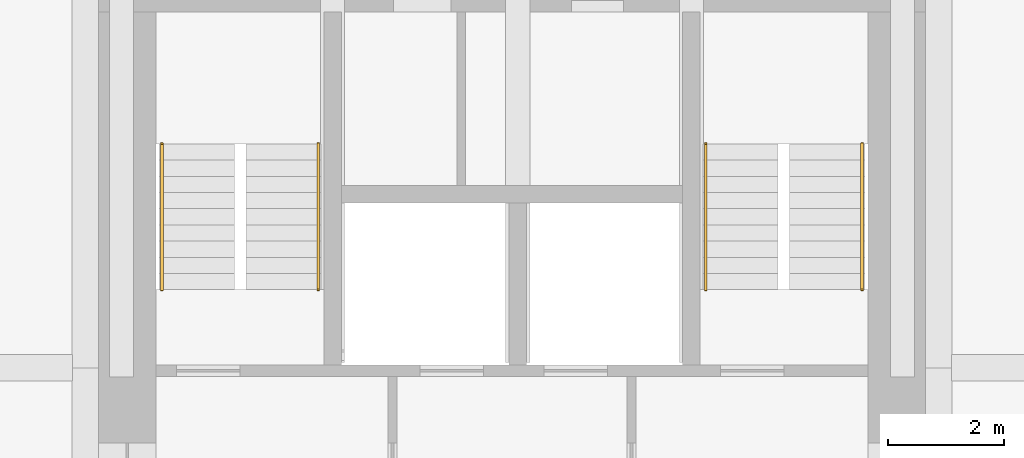
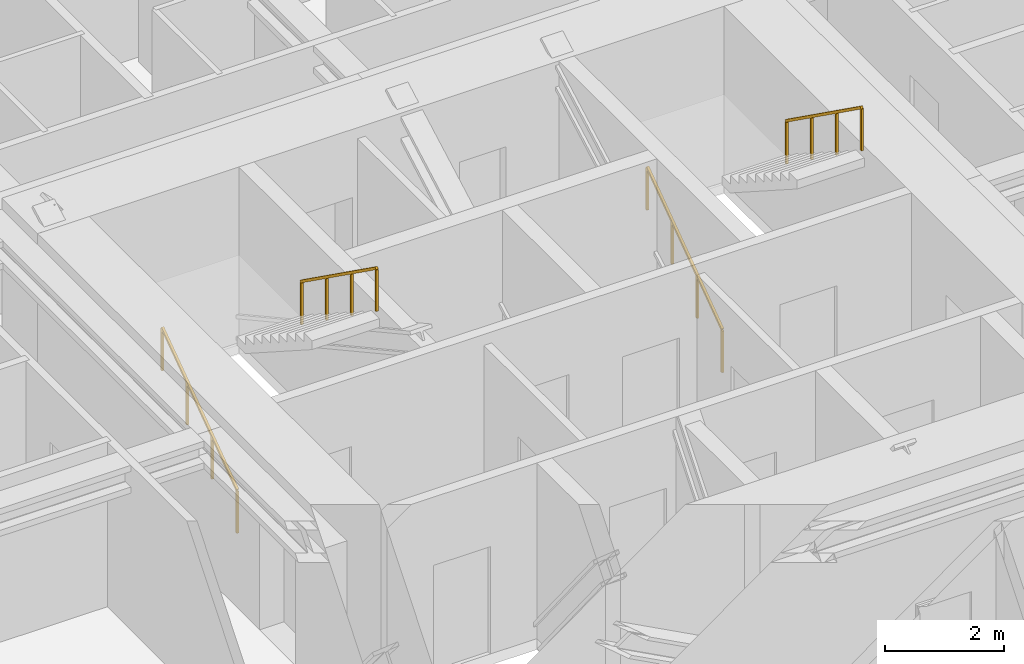
# One storey, part 10 of 10: 4 railings.
"""IFC4 building model written with IfcOpenShell, lengths in metres."""

from ifc_helpers import new_model, si_unit, direction, frame, origin, origin_2d, place, context, subcontext, project, spatial, rectangle, extrude, material, type_object, element, save


model = new_model("IFC4")

# Units and contexts
model_context = context("Model", 3, precision=1e-05, world=origin(), true_north=direction((0.0, 1.0)))
body_context = subcontext(model_context, "Body", "Model", "MODEL_VIEW")
ifc_project = project(units=[si_unit("LENGTHUNIT", "METRE"), si_unit("AREAUNIT", "SQUARE_METRE"), si_unit("VOLUMEUNIT", "CUBIC_METRE"), si_unit("PLANEANGLEUNIT", "RADIAN"), si_unit("MASSUNIT", "GRAM", prefix="KILO")], contexts=[model_context])

# Site, building, storey
site_placement = place(None, origin())
site = spatial("IfcSite", under=ifc_project, at=site_placement, CompositionType="ELEMENT")
building_placement = place(site_placement, origin())
building = spatial("IfcBuilding", under=site, at=building_placement, Name="Nyansa Garden Tower", CompositionType="ELEMENT")
storey_placement = place(building_placement, frame((0.0, 0.0, 181.800048828125)))
storey = spatial("IfcBuildingStorey", under=building, at=storey_placement, Name="L49", CompositionType="ELEMENT", Elevation=181.800048828125)

# Railings
ifc_material = material(Name="Black powder-coated steel tube 48 mm", Category="steel")
railing_type = type_object("IfcRailingType", Name="Stair handrail HR1", PredefinedType="HANDRAIL", material=ifc_material)
railing_1_placement = place(storey_placement, frame((14.199951171875, 21.60009765625, 0.0)))
element("IfcRailing", 1, at=railing_1_placement, inside=storey, type_object=railing_type, Name="Stair S1 handrail L49", PredefinedType="HANDRAIL", context=body_context, shape_type="SweptSolid", body=[
    extrude(rectangle(XDim=0.048095703125, YDim=0.048095703125, at=origin_2d()), frame((0.0, 0.0, 0.8759765625), z_axis=(0.0, 0.813728144527, 0.581245650998), x_axis=(-1.0, 0.0, 0.0)), (0.0, 0.0, 1.0), 3.096923828125),
    extrude(rectangle(XDim=0.0419921875, YDim=0.0419921875, at=origin_2d()), origin(), (0.0, 0.0, 1.0), 0.851806640625),
    extrude(rectangle(XDim=0.0419921875, YDim=0.0419921875, at=origin_2d()), frame((0.0, 0.840087890625, 0.60009765625)), (0.0, 0.0, 1.0), 0.851806640625),
    extrude(rectangle(XDim=0.0419921875, YDim=0.0419921875, at=origin_2d()), frame((0.0, 1.679931640625, 1.199951171875)), (0.0, 0.0, 1.0), 0.851806640625),
    extrude(rectangle(XDim=0.0419921875, YDim=0.0419921875, at=origin_2d()), frame((0.0, 2.52001953125, 1.800048828125)), (0.0, 0.0, 1.0), 0.851806640625),
])
railing_2_placement = place(storey_placement, frame((16.89990234375, 24.1201171875, 1.800048828125)))
element("IfcRailing", 2, at=railing_2_placement, inside=storey, type_object=railing_type, Name="Stair S1 handrail L49", PredefinedType="HANDRAIL", context=body_context, shape_type="SweptSolid", body=[
    extrude(rectangle(XDim=0.048095703125, YDim=0.048095703125, at=origin_2d()), frame((0.0, 0.0, 0.8759765625), z_axis=(0.0, -0.813765431312, 0.581193446971), x_axis=(1.0, 0.0, 0.0)), (0.0, 0.0, 1.0), 3.0966796875),
    extrude(rectangle(XDim=0.0419921875, YDim=0.0419921875, at=origin_2d()), origin(), (0.0, 0.0, 1.0), 0.851806640625),
    extrude(rectangle(XDim=0.0419921875, YDim=0.0419921875, at=origin_2d()), frame((0.0, -0.840087890625, 0.599853515625)), (0.0, 0.0, 1.0), 0.851806640625),
    extrude(rectangle(XDim=0.0419921875, YDim=0.0419921875, at=origin_2d()), frame((0.0, -1.679931640625, 1.199951171875)), (0.0, 0.0, 1.0), 0.851806640625),
    extrude(rectangle(XDim=0.0419921875, YDim=0.0419921875, at=origin_2d()), frame((0.0, -2.52001953125, 1.7998046875)), (0.0, 0.0, 1.0), 0.851806640625),
])
railing_3_placement = place(storey_placement, frame((23.60009765625, 21.60009765625, 0.0)))
element("IfcRailing", 3, at=railing_3_placement, inside=storey, type_object=railing_type, Name="Stair S2 handrail L49", PredefinedType="HANDRAIL", context=body_context, shape_type="SweptSolid", body=[
    extrude(rectangle(XDim=0.048095703125, YDim=0.048095703125, at=origin_2d()), frame((0.0, 0.0, 0.8759765625), z_axis=(0.0, 0.813728144527, 0.581245650998), x_axis=(-1.0, 0.0, 0.0)), (0.0, 0.0, 1.0), 3.096923828125),
    extrude(rectangle(XDim=0.0419921875, YDim=0.0419921875, at=origin_2d()), origin(), (0.0, 0.0, 1.0), 0.851806640625),
    extrude(rectangle(XDim=0.0419921875, YDim=0.0419921875, at=origin_2d()), frame((0.0, 0.840087890625, 0.60009765625)), (0.0, 0.0, 1.0), 0.851806640625),
    extrude(rectangle(XDim=0.0419921875, YDim=0.0419921875, at=origin_2d()), frame((0.0, 1.679931640625, 1.199951171875)), (0.0, 0.0, 1.0), 0.851806640625),
    extrude(rectangle(XDim=0.0419921875, YDim=0.0419921875, at=origin_2d()), frame((0.0, 2.52001953125, 1.800048828125)), (0.0, 0.0, 1.0), 0.851806640625),
])
railing_4_placement = place(storey_placement, frame((26.300048828125, 24.1201171875, 1.800048828125)))
element("IfcRailing", 4, at=railing_4_placement, inside=storey, type_object=railing_type, Name="Stair S2 handrail L49", PredefinedType="HANDRAIL", context=body_context, shape_type="SweptSolid", body=[
    extrude(rectangle(XDim=0.048095703125, YDim=0.048095703125, at=origin_2d()), frame((0.0, 0.0, 0.8759765625), z_axis=(0.0, -0.813765431312, 0.581193446971), x_axis=(1.0, 0.0, 0.0)), (0.0, 0.0, 1.0), 3.0966796875),
    extrude(rectangle(XDim=0.0419921875, YDim=0.0419921875, at=origin_2d()), origin(), (0.0, 0.0, 1.0), 0.851806640625),
    extrude(rectangle(XDim=0.0419921875, YDim=0.0419921875, at=origin_2d()), frame((0.0, -0.840087890625, 0.599853515625)), (0.0, 0.0, 1.0), 0.851806640625),
    extrude(rectangle(XDim=0.0419921875, YDim=0.0419921875, at=origin_2d()), frame((0.0, -1.679931640625, 1.199951171875)), (0.0, 0.0, 1.0), 0.851806640625),
    extrude(rectangle(XDim=0.0419921875, YDim=0.0419921875, at=origin_2d()), frame((0.0, -2.52001953125, 1.7998046875)), (0.0, 0.0, 1.0), 0.851806640625),
])

save(model, "model.ifc")
